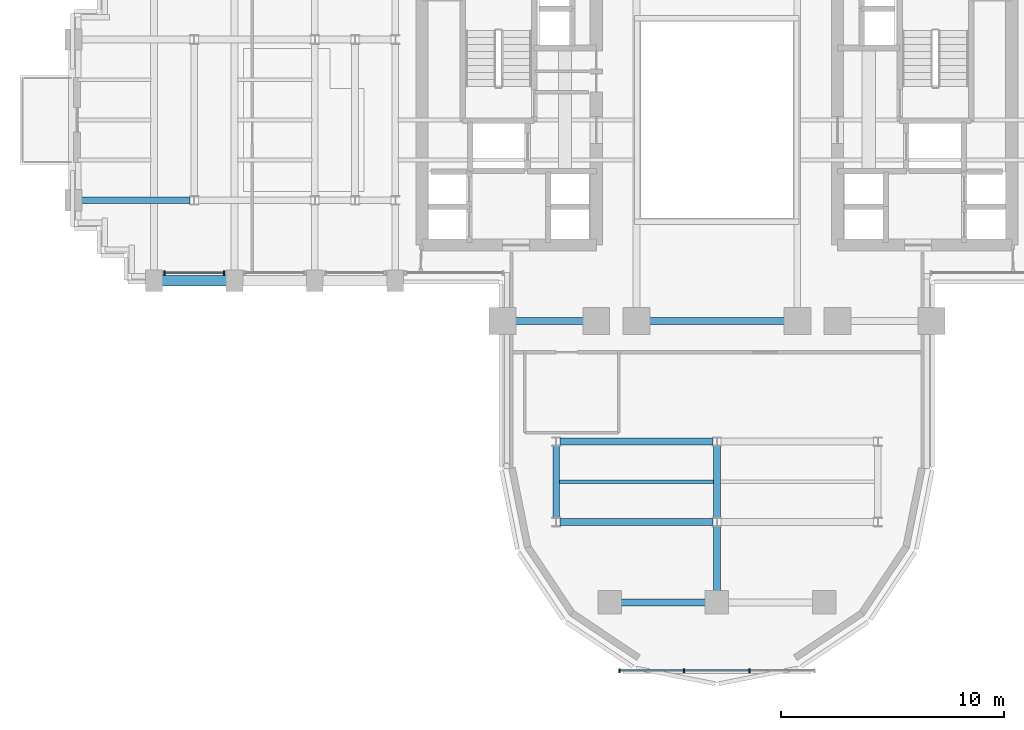
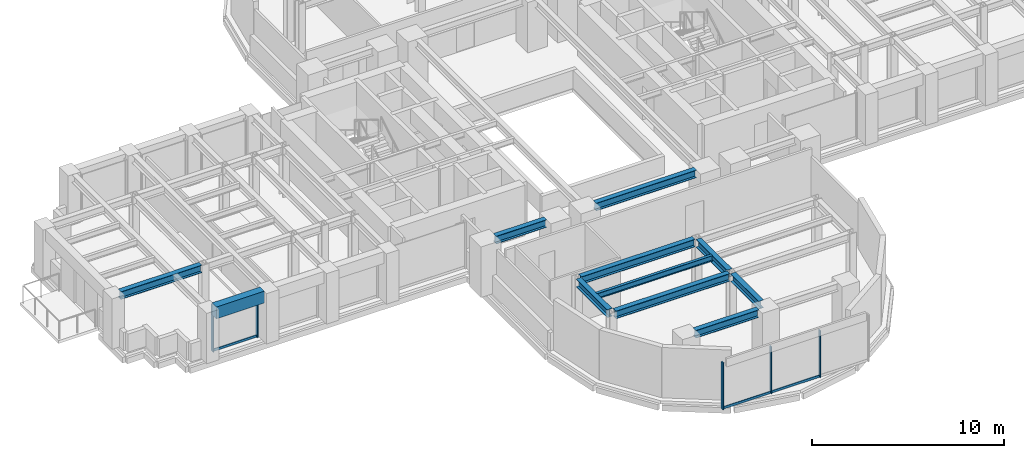
# One storey, part 3 of 15: 11 beams, 8 members, 2 elements without a shape of their own.
"""IFC4 building model written with IfcOpenShell, lengths in metres."""

from ifc_helpers import new_model, si_unit, direction, frame, origin, origin_2d, place, context, subcontext, project, spatial, rectangle, i_section, extrude, source, transform, mapped, material, material_profile, profile_set, type_object, element, aggregate, save


model = new_model("IFC4")

# Units and contexts
model_context = context("Model", 3, precision=1e-05, world=origin(), true_north=direction((0.0, 1.0)))
body_context = subcontext(model_context, "Body", "Model", "MODEL_VIEW")
ifc_project = project(units=[si_unit("LENGTHUNIT", "METRE"), si_unit("AREAUNIT", "SQUARE_METRE"), si_unit("VOLUMEUNIT", "CUBIC_METRE"), si_unit("PLANEANGLEUNIT", "RADIAN"), si_unit("MASSUNIT", "GRAM", prefix="KILO")], contexts=[model_context])

# Site, building, storey
site_placement = place(None, origin())
site = spatial("IfcSite", under=ifc_project, at=site_placement, CompositionType="ELEMENT")
building_placement = place(site_placement, origin())
building = spatial("IfcBuilding", under=site, at=building_placement, Name="Keilestroom Media Tower", CompositionType="ELEMENT")
storey_placement = place(building_placement, frame((0.0, 0.0, 40.800048828125)))
storey = spatial("IfcBuildingStorey", under=building, at=storey_placement, Name="L09", CompositionType="ELEMENT", Elevation=40.800048828125)

# Beams
ifc_material_1 = material(Name="Precast concrete C40/50", Category="concrete")
ifc_material_profile_1 = material_profile(ifc_material_1, rectangle(XDim=0.449951171875, YDim=0.75, at=origin_2d()), Name="PC 450x750")
ifc_profile_set_1 = profile_set([ifc_material_profile_1], Name="Precast concrete C40/50")
beam_type_1 = type_object("IfcBeamType", Name="Perimeter-Spandrel-Beam-PC-450x750", PredefinedType="SPANDREL", material=ifc_profile_set_1)
shared_shape_1 = source(origin(), body_context, "Body", "SweptSolid", [
    extrude(rectangle(XDim=0.449951171875, YDim=0.75, at=origin_2d()), origin(), (0.0, 0.0, 1.0), 2.889892578125),
])
beam_1_placement = place(storey_placement, frame((-24.844970703125, -7.199951171875, 2.824951171875), z_axis=(1.0, 0.0, 0.0), x_axis=(0.0, 1.0, 0.0)))
element("IfcBeam", 1, at=beam_1_placement, inside=storey, type_object=beam_type_1, Name="L09 Beam SPB-1 BM-L09-EW-012", PredefinedType="SPANDREL", context=body_context, shape_type="MappedRepresentation", body=[
    mapped(shared_shape_1, transform((0.0, 0.0, 0.0), x_axis=(1.0, 0.0, 0.0), y_axis=(0.0, 1.0, 0.0), z_axis=(0.0, 0.0, 1.0), scale=1.0)),
])
ifc_material_2 = material(Name="Steel S355", Category="steel")
ifc_material_profile_2 = material_profile(ifc_material_2, i_section(OverallWidth=0.300048828125, OverallDepth=0.5, WebThickness=0.012451171875, FlangeThickness=0.028076171875, at=origin_2d()), Name="HEB 500")
ifc_profile_set_2 = profile_set([ifc_material_profile_2], Name="Steel S355")
beam_type_2 = type_object("IfcBeamType", Name="Primary-Structural-Girder-HEB-500", PredefinedType="BEAM", material=ifc_profile_set_2)
shared_shape_2 = source(origin(), body_context, "Body", "SweptSolid", [
    extrude(i_section(OverallWidth=0.300048828125, OverallDepth=0.5, WebThickness=0.012451171875, FlangeThickness=0.028076171875, at=origin_2d()), origin(), (0.0, 0.0, 1.0), 3.23291015625),
])
for number, where, z_axis, x_axis, name in (
    (2, (-7.199951171875, -17.81640625, 2.949951171875), (0.0, 1.0, 0.0), (-1.0, 0.0, 0.0), "L09 Beam BG-6 BM-L09-NS-063"),
    (3, (0.0, -17.81640625, 2.949951171875), (0.0, 1.0, 0.0), (-1.0, 0.0, 0.0), "L09 Beam BG-6 BM-L09-NS-068"),
):
    element("IfcBeam", number, at=place(storey_placement, frame(where, z_axis=z_axis, x_axis=x_axis)), inside=storey, type_object=beam_type_2, Name=name, PredefinedType="BEAM", context=body_context, shape_type="MappedRepresentation", body=[
        mapped(shared_shape_2, transform((0.0, 0.0, 0.0), x_axis=(1.0, 0.0, 0.0), y_axis=(0.0, 1.0, 0.0), z_axis=(0.0, 0.0, 1.0), scale=1.0)),
    ])
shared_shape_3 = source(origin(), body_context, "Body", "SweptSolid", [
    extrude(i_section(OverallWidth=0.300048828125, OverallDepth=0.5, WebThickness=0.012451171875, FlangeThickness=0.028076171875, at=origin_2d()), origin(), (0.0, 0.0, 1.0), 2.911376953125),
])
beam_2_placement = place(storey_placement, frame((0.0, -21.094970703125, 2.949951171875), z_axis=(0.0, 1.0, 0.0), x_axis=(-1.0, 0.0, 0.0)))
element("IfcBeam", 4, at=beam_2_placement, inside=storey, type_object=beam_type_2, Name="L09 Beam BG-6 BM-L09-NS-067", PredefinedType="BEAM", context=body_context, shape_type="MappedRepresentation", body=[
    mapped(shared_shape_3, transform((0.0, 0.0, 0.0), x_axis=(1.0, 0.0, 0.0), y_axis=(0.0, 1.0, 0.0), z_axis=(0.0, 0.0, 1.0), scale=1.0)),
])
ifc_material_profile_3 = material_profile(ifc_material_2, i_section(OverallWidth=0.300048828125, OverallDepth=0.489990234375, WebThickness=0.011962890625, FlangeThickness=0.02294921875, at=origin_2d()), Name="HEA 500")
ifc_profile_set_3 = profile_set([ifc_material_profile_3], Name="Steel S355")
beam_type_3 = type_object("IfcBeamType", Name="Primary-Structural-Girder-HEA-500", PredefinedType="BEAM", material=ifc_profile_set_3)
shared_shape_4 = source(origin(), body_context, "Body", "SweptSolid", [
    extrude(i_section(OverallWidth=0.300048828125, OverallDepth=0.489990234375, WebThickness=0.011962890625, FlangeThickness=0.02294921875, at=origin_2d()), origin(), (0.0, 0.0, 1.0), 3.7900390625),
])
beam_3_placement = place(storey_placement, frame((-4.294921875, -21.60009765625, 2.954833984375), z_axis=(1.0, 0.0, 0.0), x_axis=(0.0, 1.0, 0.0)))
element("IfcBeam", 5, at=beam_3_placement, inside=storey, type_object=beam_type_3, Name="L09 Beam BG-10 BM-L09-EW-001", PredefinedType="BEAM", context=body_context, shape_type="MappedRepresentation", body=[
    mapped(shared_shape_4, transform((0.0, 0.0, 0.0), x_axis=(1.0, 0.0, 0.0), y_axis=(0.0, 1.0, 0.0), z_axis=(0.0, 0.0, 1.0), scale=1.0)),
])
shared_shape_5 = source(origin(), body_context, "Body", "SweptSolid", [
    extrude(i_section(OverallWidth=0.300048828125, OverallDepth=0.489990234375, WebThickness=0.011962890625, FlangeThickness=0.02294921875, at=origin_2d()), origin(), (0.0, 0.0, 1.0), 6.836181640625),
])
for number, where, z_axis, x_axis, name in (
    (6, (-7.01806640625, -18.0, 2.954833984375), (1.0, 0.0, 0.0), (0.0, 1.0, 0.0), "L09 Beam BG-10 BM-L09-EW-003"),
    (7, (-7.01806640625, -14.39990234375, 2.954833984375), (1.0, 0.0, 0.0), (0.0, 1.0, 0.0), "L09 Beam BG-10 BM-L09-EW-005"),
):
    element("IfcBeam", number, at=place(storey_placement, frame(where, z_axis=z_axis, x_axis=x_axis)), inside=storey, type_object=beam_type_3, Name=name, PredefinedType="BEAM", context=body_context, shape_type="MappedRepresentation", body=[
        mapped(shared_shape_5, transform((0.0, 0.0, 0.0), x_axis=(1.0, 0.0, 0.0), y_axis=(0.0, 1.0, 0.0), z_axis=(0.0, 0.0, 1.0), scale=1.0)),
    ])
shared_shape_6 = source(origin(), body_context, "Body", "SweptSolid", [
    extrude(i_section(OverallWidth=0.300048828125, OverallDepth=0.489990234375, WebThickness=0.011962890625, FlangeThickness=0.02294921875, at=origin_2d()), origin(), (0.0, 0.0, 1.0), 3.0400390625),
])
beam_4_placement = place(storey_placement, frame((-9.02001953125, -9.0, 2.954833984375), z_axis=(1.0, 0.0, 0.0), x_axis=(0.0, 1.0, 0.0)))
element("IfcBeam", 8, at=beam_4_placement, inside=storey, type_object=beam_type_3, Name="L09 Beam BG-10 BM-L09-EW-007", PredefinedType="BEAM", context=body_context, shape_type="MappedRepresentation", body=[
    mapped(shared_shape_6, transform((0.0, 0.0, 0.0), x_axis=(1.0, 0.0, 0.0), y_axis=(0.0, 1.0, 0.0), z_axis=(0.0, 0.0, 1.0), scale=1.0)),
])
shared_shape_7 = source(origin(), body_context, "Body", "SweptSolid", [
    extrude(i_section(OverallWidth=0.300048828125, OverallDepth=0.489990234375, WebThickness=0.011962890625, FlangeThickness=0.02294921875, at=origin_2d()), origin(), (0.0, 0.0, 1.0), 6.0400390625),
])
beam_5_placement = place(storey_placement, frame((-3.02001953125, -9.0, 2.954833984375), z_axis=(1.0, 0.0, 0.0), x_axis=(0.0, 1.0, 0.0)))
element("IfcBeam", 9, at=beam_5_placement, inside=storey, type_object=beam_type_3, Name="L09 Beam BG-10 BM-L09-EW-009", PredefinedType="BEAM", context=body_context, shape_type="MappedRepresentation", body=[
    mapped(shared_shape_7, transform((0.0, 0.0, 0.0), x_axis=(1.0, 0.0, 0.0), y_axis=(0.0, 1.0, 0.0), z_axis=(0.0, 0.0, 1.0), scale=1.0)),
])
shared_shape_8 = source(origin(), body_context, "Body", "SweptSolid", [
    extrude(i_section(OverallWidth=0.300048828125, OverallDepth=0.489990234375, WebThickness=0.011962890625, FlangeThickness=0.02294921875, at=origin_2d()), origin(), (0.0, 0.0, 1.0), 4.863037109375),
])
beam_6_placement = place(storey_placement, frame((-28.445068359375, -3.60009765625, 2.954833984375), z_axis=(1.0, 0.0, 0.0), x_axis=(0.0, 1.0, 0.0)))
element("IfcBeam", 10, at=beam_6_placement, inside=storey, type_object=beam_type_3, Name="L09 Beam BG-10 BM-L09-EW-018", PredefinedType="BEAM", context=body_context, shape_type="MappedRepresentation", body=[
    mapped(shared_shape_8, transform((0.0, 0.0, 0.0), x_axis=(1.0, 0.0, 0.0), y_axis=(0.0, 1.0, 0.0), z_axis=(0.0, 0.0, 1.0), scale=1.0)),
])
ifc_material_profile_4 = material_profile(ifc_material_2, i_section(OverallWidth=0.169921875, OverallDepth=0.360107421875, WebThickness=0.008056640625, FlangeThickness=0.0126953125, at=origin_2d()), Name="IPE 360")
ifc_profile_set_4 = profile_set([ifc_material_profile_4], Name="Steel S355")
beam_type_4 = type_object("IfcBeamType", Name="Secondary-Floor-Joist-IPE-360", PredefinedType="JOIST", material=ifc_profile_set_4)
shared_shape_9 = source(origin(), body_context, "Body", "SweptSolid", [
    extrude(i_section(OverallWidth=0.169921875, OverallDepth=0.360107421875, WebThickness=0.008056640625, FlangeThickness=0.0126953125, at=origin_2d()), origin(), (0.0, 0.0, 1.0), 6.940185546875),
])
beam_7_placement = place(storey_placement, frame((-7.070068359375, -16.199951171875, 3.02001953125), z_axis=(1.0, 0.0, 0.0), x_axis=(0.0, 1.0, 0.0)))
element("IfcBeam", 11, at=beam_7_placement, inside=storey, type_object=beam_type_4, Name="L09 Beam BJ-5 JST-L09-087", PredefinedType="JOIST", context=body_context, shape_type="MappedRepresentation", body=[
    mapped(shared_shape_9, transform((0.0, 0.0, 0.0), x_axis=(1.0, 0.0, 0.0), y_axis=(0.0, 1.0, 0.0), z_axis=(0.0, 0.0, 1.0), scale=1.0)),
])

# Curtain wall, members
ifc_material_3 = material(Name="Anodised Aluminium Alloy", Category="aluminium")
curtain_wall_type_1 = type_object("IfcCurtainWallType", Name="Unitised-Curtain-Wall-CW-1", PredefinedType="NOTDEFINED", material=ifc_material_3)
curtain_wall_1_placement = place(storey_placement, origin())
curtain_wall_1 = element("IfcCurtainWall", 12, at=curtain_wall_1_placement, inside=storey, type_object=curtain_wall_type_1, Name="L09 Curtain Wall CW-1 CW-L09-SW-1", PredefinedType="NOTDEFINED")
ifc_material_profile_5 = material_profile(ifc_material_3, rectangle(XDim=0.070068359375, YDim=0.199951171875, at=origin_2d()), Name="ALU MULLION 70x200")
ifc_profile_set_5 = profile_set([ifc_material_profile_5], Name="Anodised Aluminium Alloy")
member_type_1 = type_object("IfcMemberType", Name="Curtain-Wall-Mullion-CW-1", PredefinedType="MULLION", material=ifc_profile_set_5)
shared_shape_10 = source(origin(), body_context, "Body", "SweptSolid", [
    extrude(rectangle(XDim=0.070068359375, YDim=0.199951171875, at=origin_2d()), origin(), (0.0, 0.0, 1.0), 2.97998046875),
])
member_1_placement = place(storey_placement, frame((-24.72998046875, -6.85009765625, 0.0), z_axis=(0.0, 0.0, 1.0), x_axis=(1.0, 0.0, 0.0)))
member_1 = element("IfcMember", 13, at=member_1_placement, type_object=member_type_1, Name="CW-1 Mullion 00", PredefinedType="MULLION", context=body_context, shape_type="MappedRepresentation", body=[
    mapped(shared_shape_10, transform((0.0, 0.0, 0.0), x_axis=(1.0, 0.0, 0.0), y_axis=(0.0, 1.0, 0.0), z_axis=(0.0, 0.0, 1.0), scale=1.0)),
])
member_2_placement = place(storey_placement, frame((-22.070068359375, -6.85009765625, 0.0), z_axis=(0.0, 0.0, 1.0), x_axis=(1.0, 0.0, 0.0)))
member_2 = element("IfcMember", 14, at=member_2_placement, type_object=member_type_1, Name="CW-1 Mullion 01", PredefinedType="MULLION", context=body_context, shape_type="MappedRepresentation", body=[
    mapped(shared_shape_10, transform((0.0, 0.0, 0.0), x_axis=(1.0, 0.0, 0.0), y_axis=(0.0, 1.0, 0.0), z_axis=(0.0, 0.0, 1.0), scale=1.0)),
])
ifc_material_profile_6 = material_profile(ifc_material_3, rectangle(XDim=0.06494140625, YDim=0.14990234375, at=origin_2d()), Name="ALU TRANSOM 65x150")
ifc_profile_set_6 = profile_set([ifc_material_profile_6], Name="Anodised Aluminium Alloy")
member_type_2 = type_object("IfcMemberType", Name="Curtain-Wall-Transom-CW-1", PredefinedType="USERDEFINED", material=ifc_profile_set_6)
shared_shape_11 = source(origin(), body_context, "Body", "SweptSolid", [
    extrude(rectangle(XDim=0.06494140625, YDim=0.14990234375, at=origin_2d()), origin(), (0.0, 0.0, 1.0), 2.593994140625),
])
member_3_placement = place(storey_placement, frame((-24.697021484375, -6.85009765625, 0.074951171875), z_axis=(1.0, 0.0, 0.0), x_axis=(0.0, 1.0, 0.0)))
member_3 = element("IfcMember", 15, at=member_3_placement, type_object=member_type_2, Name="CW-1 Transom 00.1", ObjectType="TRANSOM", PredefinedType="USERDEFINED", context=body_context, shape_type="MappedRepresentation", body=[
    mapped(shared_shape_11, transform((0.0, 0.0, 0.0), x_axis=(1.0, 0.0, 0.0), y_axis=(0.0, 1.0, 0.0), z_axis=(0.0, 0.0, 1.0), scale=1.0)),
])
aggregate(curtain_wall_1, [member_1, member_2, member_3])

curtain_wall_type_2 = type_object("IfcCurtainWallType", Name="Unitised-Curtain-Wall-CW-6", PredefinedType="NOTDEFINED", material=ifc_material_3)
curtain_wall_2_placement = place(storey_placement, origin())
curtain_wall_2 = element("IfcCurtainWall", 16, at=curtain_wall_2_placement, inside=storey, type_object=curtain_wall_type_2, Name="L09 Curtain Wall CW-6 CW-L09-LS-1", PredefinedType="NOTDEFINED")
ifc_material_profile_7 = material_profile(ifc_material_3, rectangle(XDim=0.06494140625, YDim=0.179931640625, at=origin_2d()), Name="ALU MULLION 65x180")
ifc_profile_set_7 = profile_set([ifc_material_profile_7], Name="Anodised Aluminium Alloy")
member_type_3 = type_object("IfcMemberType", Name="Curtain-Wall-Mullion-CW-6", PredefinedType="MULLION", material=ifc_profile_set_7)
shared_shape_12 = source(origin(), body_context, "Body", "SweptSolid", [
    extrude(rectangle(XDim=0.06494140625, YDim=0.179931640625, at=origin_2d()), origin(), (0.0, 0.0, 1.0), 2.97998046875),
])
member_4_placement = place(storey_placement, frame((-4.367431640625, -24.64990234375, 0.0), z_axis=(0.0, 0.0, 1.0), x_axis=(1.0, 0.0, 0.0)))
member_4 = element("IfcMember", 17, at=member_4_placement, type_object=member_type_3, Name="CW-6 Mullion 00", PredefinedType="MULLION", context=body_context, shape_type="MappedRepresentation", body=[
    mapped(shared_shape_12, transform((0.0, 0.0, 0.0), x_axis=(1.0, 0.0, 0.0), y_axis=(0.0, 1.0, 0.0), z_axis=(0.0, 0.0, 1.0), scale=1.0)),
])
member_5_placement = place(storey_placement, frame((-1.466796875, -24.64990234375, 0.0), z_axis=(0.0, 0.0, 1.0), x_axis=(1.0, 0.0, 0.0)))
member_5 = element("IfcMember", 18, at=member_5_placement, type_object=member_type_3, Name="CW-6 Mullion 01", PredefinedType="MULLION", context=body_context, shape_type="MappedRepresentation", body=[
    mapped(shared_shape_12, transform((0.0, 0.0, 0.0), x_axis=(1.0, 0.0, 0.0), y_axis=(0.0, 1.0, 0.0), z_axis=(0.0, 0.0, 1.0), scale=1.0)),
])
member_6_placement = place(storey_placement, frame((1.466796875, -24.64990234375, 0.0), z_axis=(0.0, 0.0, 1.0), x_axis=(1.0, 0.0, 0.0)))
member_6 = element("IfcMember", 19, at=member_6_placement, type_object=member_type_3, Name="CW-6 Mullion 02", PredefinedType="MULLION", context=body_context, shape_type="MappedRepresentation", body=[
    mapped(shared_shape_12, transform((0.0, 0.0, 0.0), x_axis=(1.0, 0.0, 0.0), y_axis=(0.0, 1.0, 0.0), z_axis=(0.0, 0.0, 1.0), scale=1.0)),
])
ifc_material_profile_8 = material_profile(ifc_material_3, rectangle(XDim=0.06494140625, YDim=0.14990234375, at=origin_2d()), Name="ALU TRANSOM 65x150")
ifc_profile_set_8 = profile_set([ifc_material_profile_8], Name="Anodised Aluminium Alloy")
member_type_4 = type_object("IfcMemberType", Name="Curtain-Wall-Transom-CW-6", PredefinedType="USERDEFINED", material=ifc_profile_set_8)
shared_shape_13 = source(origin(), body_context, "Body", "SweptSolid", [
    extrude(rectangle(XDim=0.06494140625, YDim=0.14990234375, at=origin_2d()), origin(), (0.0, 0.0, 1.0), 2.839599609375),
])
member_7_placement = place(storey_placement, frame((-4.3369140625, -24.64990234375, 0.074951171875), z_axis=(1.0, 0.0, 0.0), x_axis=(0.0, 1.0, 0.0)))
member_7 = element("IfcMember", 20, at=member_7_placement, type_object=member_type_4, Name="CW-6 Transom 00.1", ObjectType="TRANSOM", PredefinedType="USERDEFINED", context=body_context, shape_type="MappedRepresentation", body=[
    mapped(shared_shape_13, transform((0.0, 0.0, 0.0), x_axis=(1.0, 0.0, 0.0), y_axis=(0.0, 1.0, 0.0), z_axis=(0.0, 0.0, 1.0), scale=1.0)),
])
shared_shape_14 = source(origin(), body_context, "Body", "SweptSolid", [
    extrude(rectangle(XDim=0.06494140625, YDim=0.14990234375, at=origin_2d()), origin(), (0.0, 0.0, 1.0), 2.87255859375),
])
member_8_placement = place(storey_placement, frame((-1.436279296875, -24.64990234375, 0.074951171875), z_axis=(1.0, 0.0, 0.0), x_axis=(0.0, 1.0, 0.0)))
member_8 = element("IfcMember", 21, at=member_8_placement, type_object=member_type_4, Name="CW-6 Transom 01.1", ObjectType="TRANSOM", PredefinedType="USERDEFINED", context=body_context, shape_type="MappedRepresentation", body=[
    mapped(shared_shape_14, transform((0.0, 0.0, 0.0), x_axis=(1.0, 0.0, 0.0), y_axis=(0.0, 1.0, 0.0), z_axis=(0.0, 0.0, 1.0), scale=1.0)),
])
aggregate(curtain_wall_2, [member_4, member_5, member_6, member_7, member_8])

save(model, "model.ifc")
